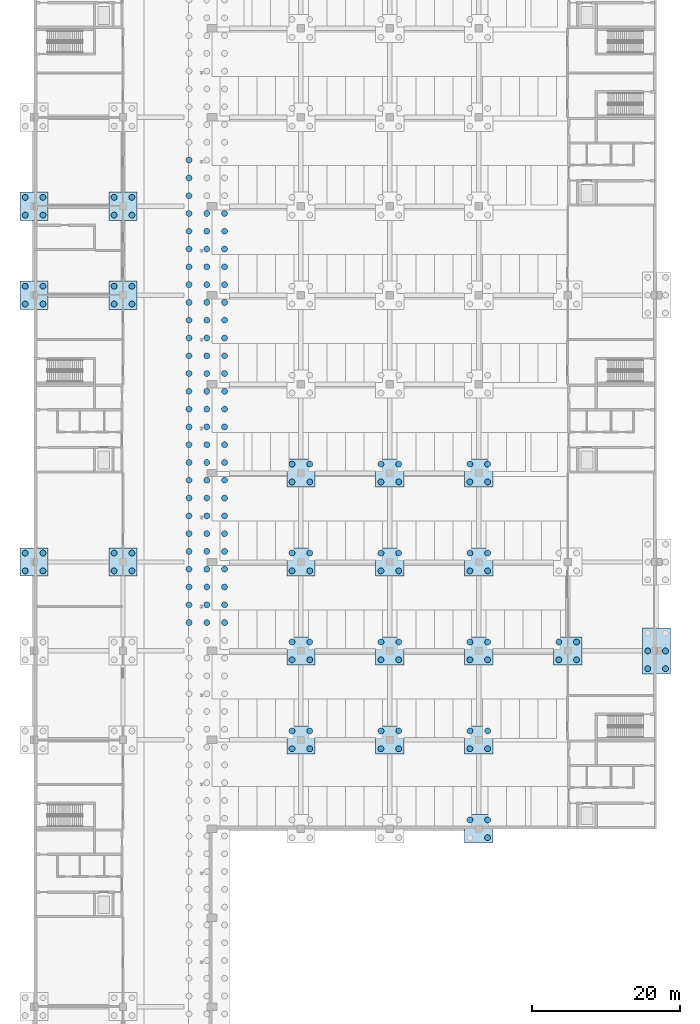
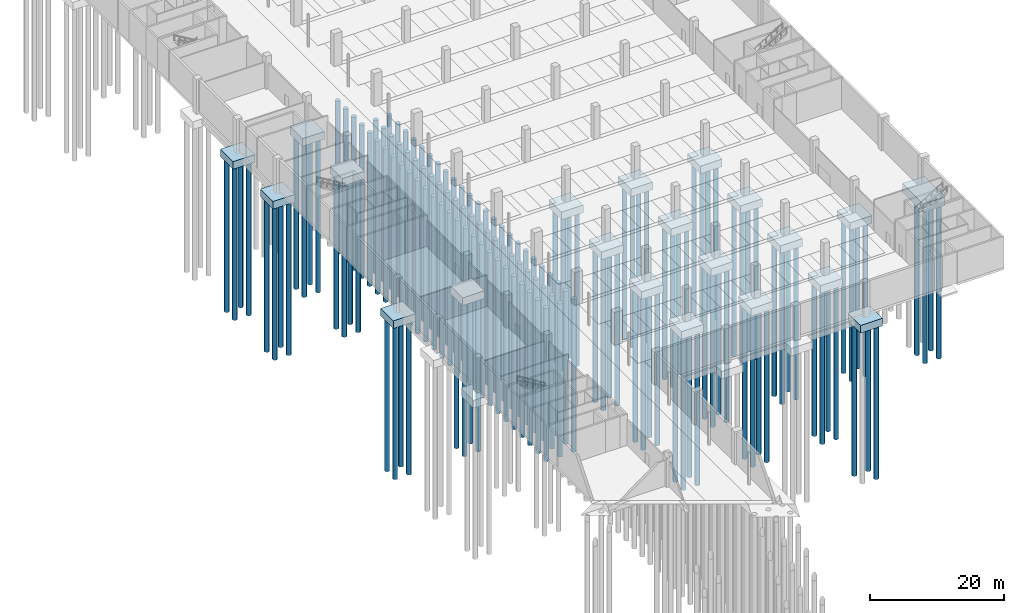
# One storey, part 2 of 34: 158 piles, 21 footings.
"""IFC4 building model written with IfcOpenShell, lengths in metres."""

from ifc_helpers import new_model, si_unit, direction, frame, origin, origin_2d, place, context, subcontext, project, spatial, polyline, circle, outline, extrude, material, layer, layer_set, material_profile, profile_set, type_object, element, save


model = new_model("IFC4")

# Units and contexts
model_context = context("Model", 3, precision=1e-05, world=origin(), true_north=direction((0.0, 1.0)))
body_context = subcontext(model_context, "Body", "Model", "MODEL_VIEW")
ifc_project = project(units=[si_unit("LENGTHUNIT", "METRE"), si_unit("AREAUNIT", "SQUARE_METRE"), si_unit("VOLUMEUNIT", "CUBIC_METRE"), si_unit("PLANEANGLEUNIT", "RADIAN"), si_unit("MASSUNIT", "GRAM", prefix="KILO")], contexts=[model_context])

# Site, building, storey
site_placement = place(None, origin())
site = spatial("IfcSite", under=ifc_project, at=site_placement, CompositionType="ELEMENT")
building_placement = place(site_placement, origin())
building = spatial("IfcBuilding", under=site, at=building_placement, Name="Lilac Gate Convention Centre", CompositionType="ELEMENT")
storey_placement = place(building_placement, frame((0.0, 0.0, -6.0)))
storey = spatial("IfcBuildingStorey", under=building, at=storey_placement, Name="B1", CompositionType="ELEMENT", Elevation=-6.0)

# Piles
ifc_material_1 = material(Name="Concrete C35", Category="concrete")
ifc_material_profile = material_profile(ifc_material_1, circle(Radius=0.39990234375, at=origin_2d()), Name="D800")
ifc_profile_set = profile_set([ifc_material_profile], Name="Concrete C35")
pile_type = type_object("IfcPileType", Name="Bored pile D800 L28 C35", PredefinedType="BORED", material=ifc_profile_set)
for number, where, z_axis, x_axis, name in (
    (1, (64.800048828125, 103.199951171875, -1.800048828125), (0.0, 0.0, -1.0), (1.0, 0.0, 0.0), "PL1 pile 2 of PC1 at 6/G"),
    (2, (67.199951171875, 100.800048828125, -1.800048828125), (0.0, 0.0, -1.0), (1.0, 0.0, 0.0), "PL1 pile 3 of PC1 at 6/G"),
    (3, (67.199951171875, 103.199951171875, -1.800048828125), (0.0, 0.0, -1.0), (1.0, 0.0, 0.0), "PL1 pile 4 of PC1 at 6/G"),
    (4, (40.800048828125, 112.800048828125, -1.800048828125), (0.0, 0.0, -1.0), (1.0, 0.0, 0.0), "PL1 pile 1 of PC1 at 4/H"),
    (5, (40.800048828125, 115.199951171875, -1.800048828125), (0.0, 0.0, -1.0), (1.0, 0.0, 0.0), "PL1 pile 2 of PC1 at 4/H"),
    (6, (43.199951171875, 112.800048828125, -1.800048828125), (0.0, 0.0, -1.0), (1.0, 0.0, 0.0), "PL1 pile 3 of PC1 at 4/H"),
    (7, (43.199951171875, 115.199951171875, -1.800048828125), (0.0, 0.0, -1.0), (1.0, 0.0, 0.0), "PL1 pile 4 of PC1 at 4/H"),
    (8, (52.800048828125, 112.800048828125, -1.800048828125), (0.0, 0.0, -1.0), (1.0, 0.0, 0.0), "PL1 pile 1 of PC1 at 5/H"),
    (9, (52.800048828125, 115.199951171875, -1.800048828125), (0.0, 0.0, -1.0), (1.0, 0.0, 0.0), "PL1 pile 2 of PC1 at 5/H"),
    (10, (55.199951171875, 112.800048828125, -1.800048828125), (0.0, 0.0, -1.0), (1.0, 0.0, 0.0), "PL1 pile 3 of PC1 at 5/H"),
    (11, (55.199951171875, 115.199951171875, -1.800048828125), (0.0, 0.0, -1.0), (1.0, 0.0, 0.0), "PL1 pile 4 of PC1 at 5/H"),
    (12, (64.800048828125, 112.800048828125, -1.800048828125), (0.0, 0.0, -1.0), (1.0, 0.0, 0.0), "PL1 pile 1 of PC1 at 6/H"),
    (13, (64.800048828125, 115.199951171875, -1.800048828125), (0.0, 0.0, -1.0), (1.0, 0.0, 0.0), "PL1 pile 2 of PC1 at 6/H"),
    (14, (67.199951171875, 112.800048828125, -1.800048828125), (0.0, 0.0, -1.0), (1.0, 0.0, 0.0), "PL1 pile 3 of PC1 at 6/H"),
    (15, (67.199951171875, 115.199951171875, -1.800048828125), (0.0, 0.0, -1.0), (1.0, 0.0, 0.0), "PL1 pile 4 of PC1 at 6/H"),
    (16, (40.800048828125, 124.800048828125, -1.800048828125), (0.0, 0.0, -1.0), (1.0, 0.0, 0.0), "PL1 pile 1 of PC1 at 4/J"),
    (17, (40.800048828125, 127.199951171875, -1.800048828125), (0.0, 0.0, -1.0), (1.0, 0.0, 0.0), "PL1 pile 2 of PC1 at 4/J"),
    (18, (43.199951171875, 124.800048828125, -1.800048828125), (0.0, 0.0, -1.0), (1.0, 0.0, 0.0), "PL1 pile 3 of PC1 at 4/J"),
    (19, (43.199951171875, 127.199951171875, -1.800048828125), (0.0, 0.0, -1.0), (1.0, 0.0, 0.0), "PL1 pile 4 of PC1 at 4/J"),
    (20, (52.800048828125, 124.800048828125, -1.800048828125), (0.0, 0.0, -1.0), (1.0, 0.0, 0.0), "PL1 pile 1 of PC1 at 5/J"),
    (21, (52.800048828125, 127.199951171875, -1.800048828125), (0.0, 0.0, -1.0), (1.0, 0.0, 0.0), "PL1 pile 2 of PC1 at 5/J"),
    (22, (55.199951171875, 124.800048828125, -1.800048828125), (0.0, 0.0, -1.0), (1.0, 0.0, 0.0), "PL1 pile 3 of PC1 at 5/J"),
    (23, (55.199951171875, 127.199951171875, -1.800048828125), (0.0, 0.0, -1.0), (1.0, 0.0, 0.0), "PL1 pile 4 of PC1 at 5/J"),
    (24, (64.800048828125, 124.800048828125, -1.800048828125), (0.0, 0.0, -1.0), (1.0, 0.0, 0.0), "PL1 pile 1 of PC1 at 6/J"),
    (25, (64.800048828125, 127.199951171875, -1.800048828125), (0.0, 0.0, -1.0), (1.0, 0.0, 0.0), "PL1 pile 2 of PC1 at 6/J"),
    (26, (67.199951171875, 124.800048828125, -1.800048828125), (0.0, 0.0, -1.0), (1.0, 0.0, 0.0), "PL1 pile 3 of PC1 at 6/J"),
    (27, (67.199951171875, 127.199951171875, -1.800048828125), (0.0, 0.0, -1.0), (1.0, 0.0, 0.0), "PL1 pile 4 of PC1 at 6/J"),
    (28, (76.800048828125, 124.800048828125, -1.800048828125), (0.0, 0.0, -1.0), (1.0, 0.0, 0.0), "PL1 pile 1 of PC1 at 7/J"),
    (29, (76.800048828125, 127.199951171875, -1.800048828125), (0.0, 0.0, -1.0), (1.0, 0.0, 0.0), "PL1 pile 2 of PC1 at 7/J"),
    (30, (79.199951171875, 124.800048828125, -1.800048828125), (0.0, 0.0, -1.0), (1.0, 0.0, 0.0), "PL1 pile 3 of PC1 at 7/J"),
    (31, (79.199951171875, 127.199951171875, -1.800048828125), (0.0, 0.0, -1.0), (1.0, 0.0, 0.0), "PL1 pile 4 of PC1 at 7/J"),
    (32, (88.800048828125, 123.60009765625, -2.0), (0.0, 0.0, -1.0), (1.0, 0.0, 0.0), "PL1 pile 1 of PC2 at 8/J"),
    (33, (88.800048828125, 126.0, -2.0), (0.0, 0.0, -1.0), (1.0, 0.0, 0.0), "PL1 pile 2 of PC2 at 8/J"),
    (34, (91.199951171875, 123.60009765625, -2.0), (0.0, 0.0, -1.0), (1.0, 0.0, 0.0), "PL1 pile 4 of PC2 at 8/J"),
    (35, (91.199951171875, 126.0, -2.0), (0.0, 0.0, -1.0), (1.0, 0.0, 0.0), "PL1 pile 5 of PC2 at 8/J"),
    (36, (26.89990234375, 129.824951171875, -2.0), (0.0, 0.0, -1.0), (1.0, 0.0, 0.0), "PL1 pile 44 of PC3 at 29.3/126.225"),
    (37, (26.89990234375, 132.22509765625, -2.0), (0.0, 0.0, -1.0), (1.0, 0.0, 0.0), "PL1 pile 45 of PC3 at 29.3/126.225"),
    (38, (26.89990234375, 134.625, -2.0), (0.0, 0.0, -1.0), (1.0, 0.0, 0.0), "PL1 pile 46 of PC3 at 29.3/126.225"),
    (39, (26.89990234375, 137.02490234375, -2.0), (0.0, 0.0, -1.0), (1.0, 0.0, 0.0), "PL1 pile 47 of PC3 at 29.3/126.225"),
    (40, (26.89990234375, 139.425048828125, -2.0), (0.0, 0.0, -1.0), (1.0, 0.0, 0.0), "PL1 pile 48 of PC3 at 29.3/126.225"),
    (41, (26.89990234375, 141.824951171875, -2.0), (0.0, 0.0, -1.0), (1.0, 0.0, 0.0), "PL1 pile 49 of PC3 at 29.3/126.225"),
    (42, (26.89990234375, 144.22509765625, -2.0), (0.0, 0.0, -1.0), (1.0, 0.0, 0.0), "PL1 pile 50 of PC3 at 29.3/126.225"),
    (43, (26.89990234375, 146.625, -2.0), (0.0, 0.0, -1.0), (1.0, 0.0, 0.0), "PL1 pile 51 of PC3 at 29.3/126.225"),
    (44, (26.89990234375, 149.02490234375, -2.0), (0.0, 0.0, -1.0), (1.0, 0.0, 0.0), "PL1 pile 52 of PC3 at 29.3/126.225"),
    (45, (26.89990234375, 151.425048828125, -2.0), (0.0, 0.0, -1.0), (1.0, 0.0, 0.0), "PL1 pile 53 of PC3 at 29.3/126.225"),
    (46, (26.89990234375, 153.824951171875, -2.0), (0.0, 0.0, -1.0), (1.0, 0.0, 0.0), "PL1 pile 54 of PC3 at 29.3/126.225"),
    (47, (26.89990234375, 156.22509765625, -2.0), (0.0, 0.0, -1.0), (1.0, 0.0, 0.0), "PL1 pile 55 of PC3 at 29.3/126.225"),
    (48, (26.89990234375, 158.625, -2.0), (0.0, 0.0, -1.0), (1.0, 0.0, 0.0), "PL1 pile 56 of PC3 at 29.3/126.225"),
    (49, (26.89990234375, 161.02490234375, -2.0), (0.0, 0.0, -1.0), (1.0, 0.0, 0.0), "PL1 pile 57 of PC3 at 29.3/126.225"),
    (50, (26.89990234375, 163.425048828125, -2.0), (0.0, 0.0, -1.0), (1.0, 0.0, 0.0), "PL1 pile 58 of PC3 at 29.3/126.225"),
    (51, (26.89990234375, 165.824951171875, -2.0), (0.0, 0.0, -1.0), (1.0, 0.0, 0.0), "PL1 pile 59 of PC3 at 29.3/126.225"),
    (52, (26.89990234375, 168.22509765625, -2.0), (0.0, 0.0, -1.0), (1.0, 0.0, 0.0), "PL1 pile 60 of PC3 at 29.3/126.225"),
    (53, (26.89990234375, 170.625, -2.0), (0.0, 0.0, -1.0), (1.0, 0.0, 0.0), "PL1 pile 61 of PC3 at 29.3/126.225"),
    (54, (26.89990234375, 173.02490234375, -2.0), (0.0, 0.0, -1.0), (1.0, 0.0, 0.0), "PL1 pile 62 of PC3 at 29.3/126.225"),
    (55, (26.89990234375, 175.425048828125, -2.0), (0.0, 0.0, -1.0), (1.0, 0.0, 0.0), "PL1 pile 63 of PC3 at 29.3/126.225"),
    (56, (26.89990234375, 177.824951171875, -2.0), (0.0, 0.0, -1.0), (1.0, 0.0, 0.0), "PL1 pile 64 of PC3 at 29.3/126.225"),
    (57, (26.89990234375, 180.22509765625, -2.0), (0.0, 0.0, -1.0), (1.0, 0.0, 0.0), "PL1 pile 65 of PC3 at 29.3/126.225"),
    (58, (26.89990234375, 182.625, -2.0), (0.0, 0.0, -1.0), (1.0, 0.0, 0.0), "PL1 pile 66 of PC3 at 29.3/126.225"),
    (59, (26.89990234375, 185.02490234375, -2.0), (0.0, 0.0, -1.0), (1.0, 0.0, 0.0), "PL1 pile 67 of PC3 at 29.3/126.225"),
    (60, (26.89990234375, 187.425048828125, -2.0), (0.0, 0.0, -1.0), (1.0, 0.0, 0.0), "PL1 pile 68 of PC3 at 29.3/126.225"),
    (61, (26.89990234375, 189.824951171875, -2.0), (0.0, 0.0, -1.0), (1.0, 0.0, 0.0), "PL1 pile 69 of PC3 at 29.3/126.225"),
    (62, (26.89990234375, 192.22509765625, -2.0), (0.0, 0.0, -1.0), (1.0, 0.0, 0.0), "PL1 pile 70 of PC3 at 29.3/126.225"),
    (63, (29.300048828125, 129.824951171875, -2.0), (0.0, 0.0, -1.0), (1.0, 0.0, 0.0), "PL1 pile 128 of PC3 at 29.3/126.225"),
    (64, (29.300048828125, 132.22509765625, -2.0), (0.0, 0.0, -1.0), (1.0, 0.0, 0.0), "PL1 pile 129 of PC3 at 29.3/126.225"),
    (65, (29.300048828125, 134.625, -2.0), (0.0, 0.0, -1.0), (1.0, 0.0, 0.0), "PL1 pile 130 of PC3 at 29.3/126.225"),
    (66, (29.300048828125, 137.02490234375, -2.0), (0.0, 0.0, -1.0), (1.0, 0.0, 0.0), "PL1 pile 131 of PC3 at 29.3/126.225"),
    (67, (29.300048828125, 139.425048828125, -2.0), (0.0, 0.0, -1.0), (1.0, 0.0, 0.0), "PL1 pile 132 of PC3 at 29.3/126.225"),
    (68, (29.300048828125, 141.824951171875, -2.0), (0.0, 0.0, -1.0), (1.0, 0.0, 0.0), "PL1 pile 133 of PC3 at 29.3/126.225"),
    (69, (29.300048828125, 144.22509765625, -2.0), (0.0, 0.0, -1.0), (1.0, 0.0, 0.0), "PL1 pile 134 of PC3 at 29.3/126.225"),
    (70, (29.300048828125, 146.625, -2.0), (0.0, 0.0, -1.0), (1.0, 0.0, 0.0), "PL1 pile 135 of PC3 at 29.3/126.225"),
    (71, (29.300048828125, 149.02490234375, -2.0), (0.0, 0.0, -1.0), (1.0, 0.0, 0.0), "PL1 pile 136 of PC3 at 29.3/126.225"),
    (72, (29.300048828125, 151.425048828125, -2.0), (0.0, 0.0, -1.0), (1.0, 0.0, 0.0), "PL1 pile 137 of PC3 at 29.3/126.225"),
    (73, (29.300048828125, 153.824951171875, -2.0), (0.0, 0.0, -1.0), (1.0, 0.0, 0.0), "PL1 pile 138 of PC3 at 29.3/126.225"),
    (74, (29.300048828125, 156.22509765625, -2.0), (0.0, 0.0, -1.0), (1.0, 0.0, 0.0), "PL1 pile 139 of PC3 at 29.3/126.225"),
    (75, (29.300048828125, 158.625, -2.0), (0.0, 0.0, -1.0), (1.0, 0.0, 0.0), "PL1 pile 140 of PC3 at 29.3/126.225"),
    (76, (29.300048828125, 161.02490234375, -2.0), (0.0, 0.0, -1.0), (1.0, 0.0, 0.0), "PL1 pile 141 of PC3 at 29.3/126.225"),
    (77, (29.300048828125, 163.425048828125, -2.0), (0.0, 0.0, -1.0), (1.0, 0.0, 0.0), "PL1 pile 142 of PC3 at 29.3/126.225"),
    (78, (29.300048828125, 165.824951171875, -2.0), (0.0, 0.0, -1.0), (1.0, 0.0, 0.0), "PL1 pile 143 of PC3 at 29.3/126.225"),
    (79, (29.300048828125, 168.22509765625, -2.0), (0.0, 0.0, -1.0), (1.0, 0.0, 0.0), "PL1 pile 144 of PC3 at 29.3/126.225"),
    (80, (29.300048828125, 170.625, -2.0), (0.0, 0.0, -1.0), (1.0, 0.0, 0.0), "PL1 pile 145 of PC3 at 29.3/126.225"),
    (81, (29.300048828125, 173.02490234375, -2.0), (0.0, 0.0, -1.0), (1.0, 0.0, 0.0), "PL1 pile 146 of PC3 at 29.3/126.225"),
    (82, (29.300048828125, 175.425048828125, -2.0), (0.0, 0.0, -1.0), (1.0, 0.0, 0.0), "PL1 pile 147 of PC3 at 29.3/126.225"),
    (83, (29.300048828125, 177.824951171875, -2.0), (0.0, 0.0, -1.0), (1.0, 0.0, 0.0), "PL1 pile 148 of PC3 at 29.3/126.225"),
    (84, (29.300048828125, 180.22509765625, -2.0), (0.0, 0.0, -1.0), (1.0, 0.0, 0.0), "PL1 pile 149 of PC3 at 29.3/126.225"),
    (85, (29.300048828125, 182.625, -2.0), (0.0, 0.0, -1.0), (1.0, 0.0, 0.0), "PL1 pile 150 of PC3 at 29.3/126.225"),
    (86, (29.300048828125, 185.02490234375, -2.0), (0.0, 0.0, -1.0), (1.0, 0.0, 0.0), "PL1 pile 151 of PC3 at 29.3/126.225"),
    (87, (31.699951171875, 129.824951171875, -2.0), (0.0, 0.0, -1.0), (1.0, 0.0, 0.0), "PL1 pile 212 of PC3 at 29.3/126.225"),
    (88, (31.699951171875, 132.22509765625, -2.0), (0.0, 0.0, -1.0), (1.0, 0.0, 0.0), "PL1 pile 213 of PC3 at 29.3/126.225"),
    (89, (31.699951171875, 134.625, -2.0), (0.0, 0.0, -1.0), (1.0, 0.0, 0.0), "PL1 pile 214 of PC3 at 29.3/126.225"),
    (90, (31.699951171875, 137.02490234375, -2.0), (0.0, 0.0, -1.0), (1.0, 0.0, 0.0), "PL1 pile 215 of PC3 at 29.3/126.225"),
    (91, (31.699951171875, 139.425048828125, -2.0), (0.0, 0.0, -1.0), (1.0, 0.0, 0.0), "PL1 pile 216 of PC3 at 29.3/126.225"),
    (92, (31.699951171875, 141.824951171875, -2.0), (0.0, 0.0, -1.0), (1.0, 0.0, 0.0), "PL1 pile 217 of PC3 at 29.3/126.225"),
    (93, (31.699951171875, 144.22509765625, -2.0), (0.0, 0.0, -1.0), (1.0, 0.0, 0.0), "PL1 pile 218 of PC3 at 29.3/126.225"),
    (94, (31.699951171875, 146.625, -2.0), (0.0, 0.0, -1.0), (1.0, 0.0, 0.0), "PL1 pile 219 of PC3 at 29.3/126.225"),
    (95, (31.699951171875, 149.02490234375, -2.0), (0.0, 0.0, -1.0), (1.0, 0.0, 0.0), "PL1 pile 220 of PC3 at 29.3/126.225"),
    (96, (31.699951171875, 151.425048828125, -2.0), (0.0, 0.0, -1.0), (1.0, 0.0, 0.0), "PL1 pile 221 of PC3 at 29.3/126.225"),
    (97, (31.699951171875, 153.824951171875, -2.0), (0.0, 0.0, -1.0), (1.0, 0.0, 0.0), "PL1 pile 222 of PC3 at 29.3/126.225"),
    (98, (31.699951171875, 156.22509765625, -2.0), (0.0, 0.0, -1.0), (1.0, 0.0, 0.0), "PL1 pile 223 of PC3 at 29.3/126.225"),
    (99, (31.699951171875, 158.625, -2.0), (0.0, 0.0, -1.0), (1.0, 0.0, 0.0), "PL1 pile 224 of PC3 at 29.3/126.225"),
    (100, (31.699951171875, 161.02490234375, -2.0), (0.0, 0.0, -1.0), (1.0, 0.0, 0.0), "PL1 pile 225 of PC3 at 29.3/126.225"),
    (101, (31.699951171875, 163.425048828125, -2.0), (0.0, 0.0, -1.0), (1.0, 0.0, 0.0), "PL1 pile 226 of PC3 at 29.3/126.225"),
    (102, (31.699951171875, 165.824951171875, -2.0), (0.0, 0.0, -1.0), (1.0, 0.0, 0.0), "PL1 pile 227 of PC3 at 29.3/126.225"),
    (103, (31.699951171875, 168.22509765625, -2.0), (0.0, 0.0, -1.0), (1.0, 0.0, 0.0), "PL1 pile 228 of PC3 at 29.3/126.225"),
    (104, (31.699951171875, 170.625, -2.0), (0.0, 0.0, -1.0), (1.0, 0.0, 0.0), "PL1 pile 229 of PC3 at 29.3/126.225"),
    (105, (31.699951171875, 173.02490234375, -2.0), (0.0, 0.0, -1.0), (1.0, 0.0, 0.0), "PL1 pile 230 of PC3 at 29.3/126.225"),
    (106, (31.699951171875, 175.425048828125, -2.0), (0.0, 0.0, -1.0), (1.0, 0.0, 0.0), "PL1 pile 231 of PC3 at 29.3/126.225"),
    (107, (31.699951171875, 177.824951171875, -2.0), (0.0, 0.0, -1.0), (1.0, 0.0, 0.0), "PL1 pile 232 of PC3 at 29.3/126.225"),
    (108, (31.699951171875, 180.22509765625, -2.0), (0.0, 0.0, -1.0), (1.0, 0.0, 0.0), "PL1 pile 233 of PC3 at 29.3/126.225"),
    (109, (31.699951171875, 182.625, -2.0), (0.0, 0.0, -1.0), (1.0, 0.0, 0.0), "PL1 pile 234 of PC3 at 29.3/126.225"),
    (110, (31.699951171875, 185.02490234375, -2.0), (0.0, 0.0, -1.0), (1.0, 0.0, 0.0), "PL1 pile 235 of PC3 at 29.3/126.225"),
    (111, (4.800048828125, 136.800048828125, -1.800048828125), (0.0, 0.0, -1.0), (1.0, 0.0, 0.0), "PL1 pile 1 of PC1 at 1/K"),
    (112, (4.800048828125, 139.199951171875, -1.800048828125), (0.0, 0.0, -1.0), (1.0, 0.0, 0.0), "PL1 pile 2 of PC1 at 1/K"),
    (113, (7.199951171875, 136.800048828125, -1.800048828125), (0.0, 0.0, -1.0), (1.0, 0.0, 0.0), "PL1 pile 3 of PC1 at 1/K"),
    (114, (7.199951171875, 139.199951171875, -1.800048828125), (0.0, 0.0, -1.0), (1.0, 0.0, 0.0), "PL1 pile 4 of PC1 at 1/K"),
    (115, (16.800048828125, 136.800048828125, -1.800048828125), (0.0, 0.0, -1.0), (1.0, 0.0, 0.0), "PL1 pile 1 of PC1 at 2/K"),
    (116, (16.800048828125, 139.199951171875, -1.800048828125), (0.0, 0.0, -1.0), (1.0, 0.0, 0.0), "PL1 pile 2 of PC1 at 2/K"),
    (117, (19.199951171875, 136.800048828125, -1.800048828125), (0.0, 0.0, -1.0), (1.0, 0.0, 0.0), "PL1 pile 3 of PC1 at 2/K"),
    (118, (19.199951171875, 139.199951171875, -1.800048828125), (0.0, 0.0, -1.0), (1.0, 0.0, 0.0), "PL1 pile 4 of PC1 at 2/K"),
    (119, (40.800048828125, 136.800048828125, -1.800048828125), (0.0, 0.0, -1.0), (1.0, 0.0, 0.0), "PL1 pile 1 of PC1 at 4/K"),
    (120, (40.800048828125, 139.199951171875, -1.800048828125), (0.0, 0.0, -1.0), (1.0, 0.0, 0.0), "PL1 pile 2 of PC1 at 4/K"),
    (121, (43.199951171875, 136.800048828125, -1.800048828125), (0.0, 0.0, -1.0), (1.0, 0.0, 0.0), "PL1 pile 3 of PC1 at 4/K"),
    (122, (43.199951171875, 139.199951171875, -1.800048828125), (0.0, 0.0, -1.0), (1.0, 0.0, 0.0), "PL1 pile 4 of PC1 at 4/K"),
    (123, (52.800048828125, 136.800048828125, -1.800048828125), (0.0, 0.0, -1.0), (1.0, 0.0, 0.0), "PL1 pile 1 of PC1 at 5/K"),
    (124, (52.800048828125, 139.199951171875, -1.800048828125), (0.0, 0.0, -1.0), (1.0, 0.0, 0.0), "PL1 pile 2 of PC1 at 5/K"),
    (125, (55.199951171875, 136.800048828125, -1.800048828125), (0.0, 0.0, -1.0), (1.0, 0.0, 0.0), "PL1 pile 3 of PC1 at 5/K"),
    (126, (55.199951171875, 139.199951171875, -1.800048828125), (0.0, 0.0, -1.0), (1.0, 0.0, 0.0), "PL1 pile 4 of PC1 at 5/K"),
    (127, (64.800048828125, 136.800048828125, -1.800048828125), (0.0, 0.0, -1.0), (1.0, 0.0, 0.0), "PL1 pile 1 of PC1 at 6/K"),
    (128, (64.800048828125, 139.199951171875, -1.800048828125), (0.0, 0.0, -1.0), (1.0, 0.0, 0.0), "PL1 pile 2 of PC1 at 6/K"),
    (129, (67.199951171875, 136.800048828125, -1.800048828125), (0.0, 0.0, -1.0), (1.0, 0.0, 0.0), "PL1 pile 3 of PC1 at 6/K"),
    (130, (67.199951171875, 139.199951171875, -1.800048828125), (0.0, 0.0, -1.0), (1.0, 0.0, 0.0), "PL1 pile 4 of PC1 at 6/K"),
    (131, (40.800048828125, 148.800048828125, -1.800048828125), (0.0, 0.0, -1.0), (1.0, 0.0, 0.0), "PL1 pile 1 of PC1 at 4/L"),
    (132, (40.800048828125, 151.199951171875, -1.800048828125), (0.0, 0.0, -1.0), (1.0, 0.0, 0.0), "PL1 pile 2 of PC1 at 4/L"),
    (133, (43.199951171875, 148.800048828125, -1.800048828125), (0.0, 0.0, -1.0), (1.0, 0.0, 0.0), "PL1 pile 3 of PC1 at 4/L"),
    (134, (43.199951171875, 151.199951171875, -1.800048828125), (0.0, 0.0, -1.0), (1.0, 0.0, 0.0), "PL1 pile 4 of PC1 at 4/L"),
    (135, (52.800048828125, 148.800048828125, -1.800048828125), (0.0, 0.0, -1.0), (1.0, 0.0, 0.0), "PL1 pile 1 of PC1 at 5/L"),
    (136, (52.800048828125, 151.199951171875, -1.800048828125), (0.0, 0.0, -1.0), (1.0, 0.0, 0.0), "PL1 pile 2 of PC1 at 5/L"),
    (137, (55.199951171875, 148.800048828125, -1.800048828125), (0.0, 0.0, -1.0), (1.0, 0.0, 0.0), "PL1 pile 3 of PC1 at 5/L"),
    (138, (55.199951171875, 151.199951171875, -1.800048828125), (0.0, 0.0, -1.0), (1.0, 0.0, 0.0), "PL1 pile 4 of PC1 at 5/L"),
    (139, (64.800048828125, 148.800048828125, -1.800048828125), (0.0, 0.0, -1.0), (1.0, 0.0, 0.0), "PL1 pile 1 of PC1 at 6/L"),
    (140, (64.800048828125, 151.199951171875, -1.800048828125), (0.0, 0.0, -1.0), (1.0, 0.0, 0.0), "PL1 pile 2 of PC1 at 6/L"),
    (141, (67.199951171875, 148.800048828125, -1.800048828125), (0.0, 0.0, -1.0), (1.0, 0.0, 0.0), "PL1 pile 3 of PC1 at 6/L"),
    (142, (67.199951171875, 151.199951171875, -1.800048828125), (0.0, 0.0, -1.0), (1.0, 0.0, 0.0), "PL1 pile 4 of PC1 at 6/L"),
    (143, (4.800048828125, 172.800048828125, -1.800048828125), (0.0, 0.0, -1.0), (1.0, 0.0, 0.0), "PL1 pile 1 of PC1 at 1/N"),
    (144, (4.800048828125, 175.199951171875, -1.800048828125), (0.0, 0.0, -1.0), (1.0, 0.0, 0.0), "PL1 pile 2 of PC1 at 1/N"),
    (145, (7.199951171875, 172.800048828125, -1.800048828125), (0.0, 0.0, -1.0), (1.0, 0.0, 0.0), "PL1 pile 3 of PC1 at 1/N"),
    (146, (7.199951171875, 175.199951171875, -1.800048828125), (0.0, 0.0, -1.0), (1.0, 0.0, 0.0), "PL1 pile 4 of PC1 at 1/N"),
    (147, (16.800048828125, 172.800048828125, -1.800048828125), (0.0, 0.0, -1.0), (1.0, 0.0, 0.0), "PL1 pile 1 of PC1 at 2/N"),
    (148, (16.800048828125, 175.199951171875, -1.800048828125), (0.0, 0.0, -1.0), (1.0, 0.0, 0.0), "PL1 pile 2 of PC1 at 2/N"),
    (149, (19.199951171875, 172.800048828125, -1.800048828125), (0.0, 0.0, -1.0), (1.0, 0.0, 0.0), "PL1 pile 3 of PC1 at 2/N"),
    (150, (19.199951171875, 175.199951171875, -1.800048828125), (0.0, 0.0, -1.0), (1.0, 0.0, 0.0), "PL1 pile 4 of PC1 at 2/N"),
    (151, (4.800048828125, 184.800048828125, -1.800048828125), (0.0, 0.0, -1.0), (1.0, 0.0, 0.0), "PL1 pile 1 of PC1 at 1/P"),
    (152, (4.800048828125, 187.199951171875, -1.800048828125), (0.0, 0.0, -1.0), (1.0, 0.0, 0.0), "PL1 pile 2 of PC1 at 1/P"),
    (153, (7.199951171875, 184.800048828125, -1.800048828125), (0.0, 0.0, -1.0), (1.0, 0.0, 0.0), "PL1 pile 3 of PC1 at 1/P"),
    (154, (7.199951171875, 187.199951171875, -1.800048828125), (0.0, 0.0, -1.0), (1.0, 0.0, 0.0), "PL1 pile 4 of PC1 at 1/P"),
    (155, (16.800048828125, 184.800048828125, -1.800048828125), (0.0, 0.0, -1.0), (1.0, 0.0, 0.0), "PL1 pile 1 of PC1 at 2/P"),
    (156, (16.800048828125, 187.199951171875, -1.800048828125), (0.0, 0.0, -1.0), (1.0, 0.0, 0.0), "PL1 pile 2 of PC1 at 2/P"),
    (157, (19.199951171875, 184.800048828125, -1.800048828125), (0.0, 0.0, -1.0), (1.0, 0.0, 0.0), "PL1 pile 3 of PC1 at 2/P"),
    (158, (19.199951171875, 187.199951171875, -1.800048828125), (0.0, 0.0, -1.0), (1.0, 0.0, 0.0), "PL1 pile 4 of PC1 at 2/P"),
):
    element("IfcPile", number, at=place(storey_placement, frame(where, z_axis=z_axis, x_axis=x_axis)), inside=storey, type_object=pile_type, Name=name, PredefinedType="BORED", context=body_context, shape_type="SweptSolid", body=[
        extrude(circle(Radius=0.39990234375, at=origin_2d()), origin(), (0.0, 0.0, 1.0), 28.0),
    ])

# Footings
ifc_material_2 = material(Name="Concrete C40", Category="concrete")
ifc_layer_1 = layer(ifc_material_2, 1.39990234375)
ifc_layer_set_1 = layer_set([ifc_layer_1], Name="Concrete C40")
footing_type_1 = type_object("IfcFootingType", Name="Pile cap 2x2 piles 1400 C40", PredefinedType="PILE_CAP", material=ifc_layer_set_1)
footing_1_placement = place(storey_placement, frame((0.0, 0.0, -1.800048828125)))
element("IfcFooting", 159, at=footing_1_placement, inside=storey, type_object=footing_type_1, Name="PC1 pile cap at 6/G", PredefinedType="PILE_CAP", context=body_context, shape_type="SweptSolid", body=[
    extrude(outline(polyline([(64.10009765625, 100.10009765625), (67.89990234375, 100.10009765625), (67.89990234375, 103.89990234375), (64.10009765625, 103.89990234375), (64.10009765625, 100.10009765625)])), origin(), (0.0, 0.0, 1.0), 1.400146484375),
])
footing_2_placement = place(storey_placement, frame((0.0, 0.0, -1.800048828125)))
element("IfcFooting", 160, at=footing_2_placement, inside=storey, type_object=footing_type_1, Name="PC1 pile cap at 4/H", PredefinedType="PILE_CAP", context=body_context, shape_type="SweptSolid", body=[
    extrude(outline(polyline([(40.10009765625, 112.10009765625), (43.89990234375, 112.10009765625), (43.89990234375, 115.89990234375), (40.10009765625, 115.89990234375), (40.10009765625, 112.10009765625)])), origin(), (0.0, 0.0, 1.0), 1.400146484375),
])
footing_3_placement = place(storey_placement, frame((0.0, 0.0, -1.800048828125)))
element("IfcFooting", 161, at=footing_3_placement, inside=storey, type_object=footing_type_1, Name="PC1 pile cap at 5/H", PredefinedType="PILE_CAP", context=body_context, shape_type="SweptSolid", body=[
    extrude(outline(polyline([(52.10009765625, 112.10009765625), (55.89990234375, 112.10009765625), (55.89990234375, 115.89990234375), (52.10009765625, 115.89990234375), (52.10009765625, 112.10009765625)])), origin(), (0.0, 0.0, 1.0), 1.400146484375),
])
footing_4_placement = place(storey_placement, frame((0.0, 0.0, -1.800048828125)))
element("IfcFooting", 162, at=footing_4_placement, inside=storey, type_object=footing_type_1, Name="PC1 pile cap at 6/H", PredefinedType="PILE_CAP", context=body_context, shape_type="SweptSolid", body=[
    extrude(outline(polyline([(64.10009765625, 112.10009765625), (67.89990234375, 112.10009765625), (67.89990234375, 115.89990234375), (64.10009765625, 115.89990234375), (64.10009765625, 112.10009765625)])), origin(), (0.0, 0.0, 1.0), 1.400146484375),
])
footing_5_placement = place(storey_placement, frame((0.0, 0.0, -1.800048828125)))
element("IfcFooting", 163, at=footing_5_placement, inside=storey, type_object=footing_type_1, Name="PC1 pile cap at 4/J", PredefinedType="PILE_CAP", context=body_context, shape_type="SweptSolid", body=[
    extrude(outline(polyline([(40.10009765625, 124.10009765625), (43.89990234375, 124.10009765625), (43.89990234375, 127.89990234375), (40.10009765625, 127.89990234375), (40.10009765625, 124.10009765625)])), origin(), (0.0, 0.0, 1.0), 1.400146484375),
])
footing_6_placement = place(storey_placement, frame((0.0, 0.0, -1.800048828125)))
element("IfcFooting", 164, at=footing_6_placement, inside=storey, type_object=footing_type_1, Name="PC1 pile cap at 5/J", PredefinedType="PILE_CAP", context=body_context, shape_type="SweptSolid", body=[
    extrude(outline(polyline([(52.10009765625, 124.10009765625), (55.89990234375, 124.10009765625), (55.89990234375, 127.89990234375), (52.10009765625, 127.89990234375), (52.10009765625, 124.10009765625)])), origin(), (0.0, 0.0, 1.0), 1.400146484375),
])
footing_7_placement = place(storey_placement, frame((0.0, 0.0, -1.800048828125)))
element("IfcFooting", 165, at=footing_7_placement, inside=storey, type_object=footing_type_1, Name="PC1 pile cap at 6/J", PredefinedType="PILE_CAP", context=body_context, shape_type="SweptSolid", body=[
    extrude(outline(polyline([(64.10009765625, 124.10009765625), (67.89990234375, 124.10009765625), (67.89990234375, 127.89990234375), (64.10009765625, 127.89990234375), (64.10009765625, 124.10009765625)])), origin(), (0.0, 0.0, 1.0), 1.400146484375),
])
footing_8_placement = place(storey_placement, frame((0.0, 0.0, -1.800048828125)))
element("IfcFooting", 166, at=footing_8_placement, inside=storey, type_object=footing_type_1, Name="PC1 pile cap at 7/J", PredefinedType="PILE_CAP", context=body_context, shape_type="SweptSolid", body=[
    extrude(outline(polyline([(76.10009765625, 124.10009765625), (79.89990234375, 124.10009765625), (79.89990234375, 127.89990234375), (76.10009765625, 127.89990234375), (76.10009765625, 124.10009765625)])), origin(), (0.0, 0.0, 1.0), 1.400146484375),
])
footing_9_placement = place(storey_placement, frame((0.0, 0.0, -1.800048828125)))
element("IfcFooting", 167, at=footing_9_placement, inside=storey, type_object=footing_type_1, Name="PC1 pile cap at 1/K", PredefinedType="PILE_CAP", context=body_context, shape_type="SweptSolid", body=[
    extrude(outline(polyline([(4.10009765625, 136.10009765625), (7.89990234375, 136.10009765625), (7.89990234375, 139.89990234375), (4.10009765625, 139.89990234375), (4.10009765625, 136.10009765625)])), origin(), (0.0, 0.0, 1.0), 1.400146484375),
])
footing_10_placement = place(storey_placement, frame((0.0, 0.0, -1.800048828125)))
element("IfcFooting", 168, at=footing_10_placement, inside=storey, type_object=footing_type_1, Name="PC1 pile cap at 2/K", PredefinedType="PILE_CAP", context=body_context, shape_type="SweptSolid", body=[
    extrude(outline(polyline([(16.10009765625, 136.10009765625), (19.89990234375, 136.10009765625), (19.89990234375, 139.89990234375), (16.10009765625, 139.89990234375), (16.10009765625, 136.10009765625)])), origin(), (0.0, 0.0, 1.0), 1.400146484375),
])
footing_11_placement = place(storey_placement, frame((0.0, 0.0, -1.800048828125)))
element("IfcFooting", 169, at=footing_11_placement, inside=storey, type_object=footing_type_1, Name="PC1 pile cap at 4/K", PredefinedType="PILE_CAP", context=body_context, shape_type="SweptSolid", body=[
    extrude(outline(polyline([(40.10009765625, 136.10009765625), (43.89990234375, 136.10009765625), (43.89990234375, 139.89990234375), (40.10009765625, 139.89990234375), (40.10009765625, 136.10009765625)])), origin(), (0.0, 0.0, 1.0), 1.400146484375),
])
footing_12_placement = place(storey_placement, frame((0.0, 0.0, -1.800048828125)))
element("IfcFooting", 170, at=footing_12_placement, inside=storey, type_object=footing_type_1, Name="PC1 pile cap at 5/K", PredefinedType="PILE_CAP", context=body_context, shape_type="SweptSolid", body=[
    extrude(outline(polyline([(52.10009765625, 136.10009765625), (55.89990234375, 136.10009765625), (55.89990234375, 139.89990234375), (52.10009765625, 139.89990234375), (52.10009765625, 136.10009765625)])), origin(), (0.0, 0.0, 1.0), 1.400146484375),
])
footing_13_placement = place(storey_placement, frame((0.0, 0.0, -1.800048828125)))
element("IfcFooting", 171, at=footing_13_placement, inside=storey, type_object=footing_type_1, Name="PC1 pile cap at 6/K", PredefinedType="PILE_CAP", context=body_context, shape_type="SweptSolid", body=[
    extrude(outline(polyline([(64.10009765625, 136.10009765625), (67.89990234375, 136.10009765625), (67.89990234375, 139.89990234375), (64.10009765625, 139.89990234375), (64.10009765625, 136.10009765625)])), origin(), (0.0, 0.0, 1.0), 1.400146484375),
])
footing_14_placement = place(storey_placement, frame((0.0, 0.0, -1.800048828125)))
element("IfcFooting", 172, at=footing_14_placement, inside=storey, type_object=footing_type_1, Name="PC1 pile cap at 4/L", PredefinedType="PILE_CAP", context=body_context, shape_type="SweptSolid", body=[
    extrude(outline(polyline([(40.10009765625, 148.10009765625), (43.89990234375, 148.10009765625), (43.89990234375, 151.89990234375), (40.10009765625, 151.89990234375), (40.10009765625, 148.10009765625)])), origin(), (0.0, 0.0, 1.0), 1.400146484375),
])
footing_15_placement = place(storey_placement, frame((0.0, 0.0, -1.800048828125)))
element("IfcFooting", 173, at=footing_15_placement, inside=storey, type_object=footing_type_1, Name="PC1 pile cap at 5/L", PredefinedType="PILE_CAP", context=body_context, shape_type="SweptSolid", body=[
    extrude(outline(polyline([(52.10009765625, 148.10009765625), (55.89990234375, 148.10009765625), (55.89990234375, 151.89990234375), (52.10009765625, 151.89990234375), (52.10009765625, 148.10009765625)])), origin(), (0.0, 0.0, 1.0), 1.400146484375),
])
footing_16_placement = place(storey_placement, frame((0.0, 0.0, -1.800048828125)))
element("IfcFooting", 174, at=footing_16_placement, inside=storey, type_object=footing_type_1, Name="PC1 pile cap at 6/L", PredefinedType="PILE_CAP", context=body_context, shape_type="SweptSolid", body=[
    extrude(outline(polyline([(64.10009765625, 148.10009765625), (67.89990234375, 148.10009765625), (67.89990234375, 151.89990234375), (64.10009765625, 151.89990234375), (64.10009765625, 148.10009765625)])), origin(), (0.0, 0.0, 1.0), 1.400146484375),
])
footing_17_placement = place(storey_placement, frame((0.0, 0.0, -1.800048828125)))
element("IfcFooting", 175, at=footing_17_placement, inside=storey, type_object=footing_type_1, Name="PC1 pile cap at 1/N", PredefinedType="PILE_CAP", context=body_context, shape_type="SweptSolid", body=[
    extrude(outline(polyline([(4.10009765625, 172.10009765625), (7.89990234375, 172.10009765625), (7.89990234375, 175.89990234375), (4.10009765625, 175.89990234375), (4.10009765625, 172.10009765625)])), origin(), (0.0, 0.0, 1.0), 1.400146484375),
])
footing_18_placement = place(storey_placement, frame((0.0, 0.0, -1.800048828125)))
element("IfcFooting", 176, at=footing_18_placement, inside=storey, type_object=footing_type_1, Name="PC1 pile cap at 2/N", PredefinedType="PILE_CAP", context=body_context, shape_type="SweptSolid", body=[
    extrude(outline(polyline([(16.10009765625, 172.10009765625), (19.89990234375, 172.10009765625), (19.89990234375, 175.89990234375), (16.10009765625, 175.89990234375), (16.10009765625, 172.10009765625)])), origin(), (0.0, 0.0, 1.0), 1.400146484375),
])
footing_19_placement = place(storey_placement, frame((0.0, 0.0, -1.800048828125)))
element("IfcFooting", 177, at=footing_19_placement, inside=storey, type_object=footing_type_1, Name="PC1 pile cap at 1/P", PredefinedType="PILE_CAP", context=body_context, shape_type="SweptSolid", body=[
    extrude(outline(polyline([(4.10009765625, 184.10009765625), (7.89990234375, 184.10009765625), (7.89990234375, 187.89990234375), (4.10009765625, 187.89990234375), (4.10009765625, 184.10009765625)])), origin(), (0.0, 0.0, 1.0), 1.400146484375),
])
footing_20_placement = place(storey_placement, frame((0.0, 0.0, -1.800048828125)))
element("IfcFooting", 178, at=footing_20_placement, inside=storey, type_object=footing_type_1, Name="PC1 pile cap at 2/P", PredefinedType="PILE_CAP", context=body_context, shape_type="SweptSolid", body=[
    extrude(outline(polyline([(16.10009765625, 184.10009765625), (19.89990234375, 184.10009765625), (19.89990234375, 187.89990234375), (16.10009765625, 187.89990234375), (16.10009765625, 184.10009765625)])), origin(), (0.0, 0.0, 1.0), 1.400146484375),
])
ifc_layer_2 = layer(ifc_material_2, 1.60009765625)
ifc_layer_set_2 = layer_set([ifc_layer_2], Name="Concrete C40")
footing_type_2 = type_object("IfcFootingType", Name="Pile cap 2x3 piles 1600 C40", PredefinedType="PILE_CAP", material=ifc_layer_set_2)
footing_21_placement = place(storey_placement, frame((0.0, 0.0, -2.0)))
element("IfcFooting", 179, at=footing_21_placement, inside=storey, type_object=footing_type_2, Name="PC2 pile cap at 8/J", PredefinedType="PILE_CAP", context=body_context, shape_type="SweptSolid", body=[
    extrude(outline(polyline([(88.10009765625, 122.89990234375), (91.89990234375, 122.89990234375), (91.89990234375, 129.10009765625), (88.10009765625, 129.10009765625), (88.10009765625, 122.89990234375)])), origin(), (0.0, 0.0, 1.0), 1.60009765625),
])

save(model, "model.ifc")
